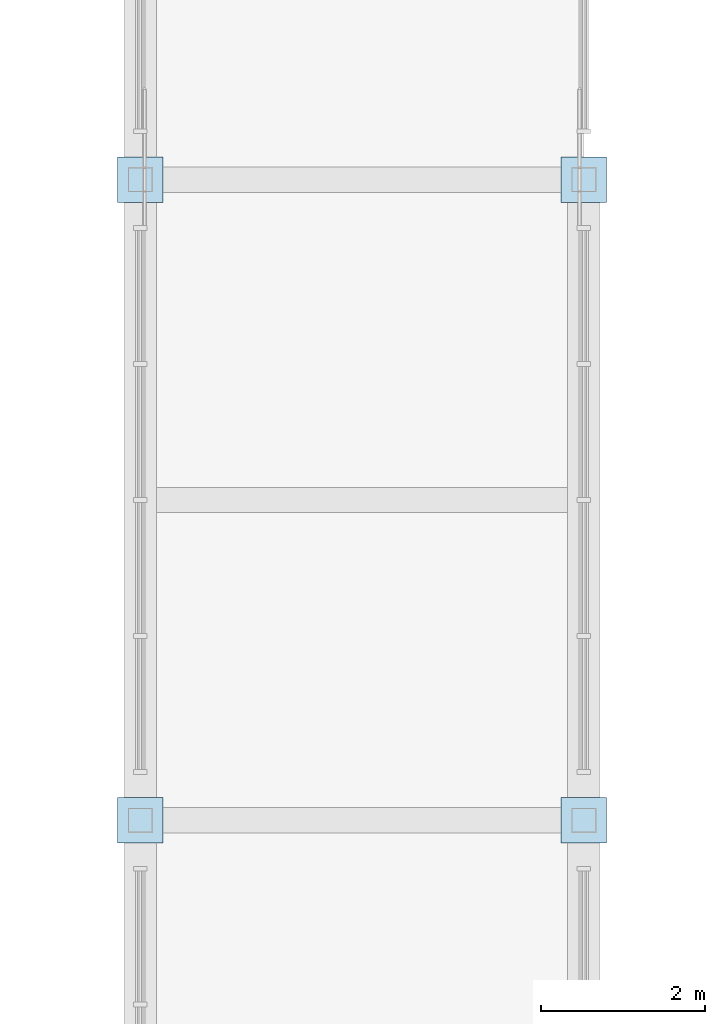
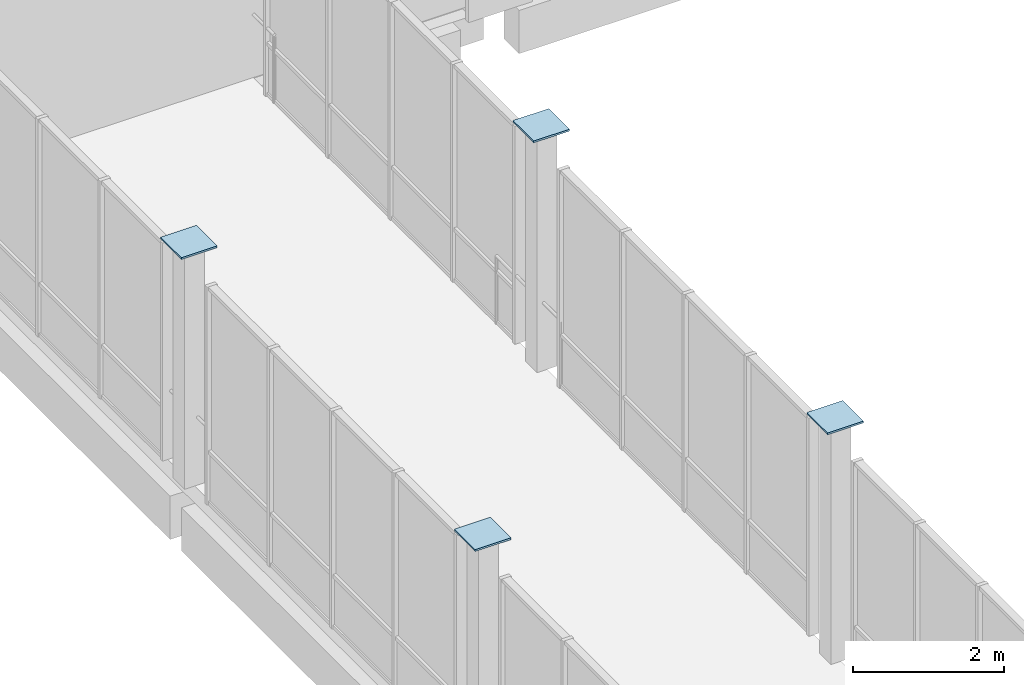
# One storey, part 52 of 85: 4 plates.
"""IFC4 building model written with IfcOpenShell, lengths in metres."""

from ifc_helpers import new_model, si_unit, direction, frame, origin, origin_2d, place, context, subcontext, project, spatial, rectangle, extrude, material, layer, layer_set, type_object, element, save


model = new_model("IFC4")

# Units and contexts
model_context = context("Model", 3, precision=1e-05, world=origin(), true_north=direction((0.0, 1.0)))
body_context = subcontext(model_context, "Body", "Model", "MODEL_VIEW")
ifc_project = project(units=[si_unit("LENGTHUNIT", "METRE"), si_unit("AREAUNIT", "SQUARE_METRE"), si_unit("VOLUMEUNIT", "CUBIC_METRE"), si_unit("PLANEANGLEUNIT", "RADIAN"), si_unit("MASSUNIT", "GRAM", prefix="KILO")], contexts=[model_context])

# Site, building, storey
site_placement = place(None, origin())
site = spatial("IfcSite", under=ifc_project, at=site_placement, CompositionType="ELEMENT")
building_placement = place(site_placement, origin())
building = spatial("IfcBuilding", under=site, at=building_placement, Name="Vervanel Yard Central Library", CompositionType="ELEMENT")
storey_placement = place(building_placement, frame((0.0, 0.0, 5.10009765625)))
storey = spatial("IfcBuildingStorey", under=building, at=storey_placement, Name="L01", CompositionType="ELEMENT", Elevation=5.10009765625)

# Plates
ifc_material = material(Name="Steel ASTM A572 Grade 50", Category="steel")
ifc_layer = layer(ifc_material, 0.030029296875, Category="steel")
ifc_layer_set = layer_set([ifc_layer], Name="Steel ASTM A572 Grade 50")
plate_type = type_object("IfcPlateType", Name="Bridge Pier Base Plate 30", PredefinedType="SHEET", material=ifc_layer_set)
for number, where, z_axis, x_axis, name in (
    (1, (72.0, 66.60009765625, 3.83984375), (0.0, 0.0, 1.0), (1.0, 0.0, 0.0), "L01 HSS Column Top Cap Plate 14"),
    (2, (72.0, 74.39990234375, 3.83984375), (0.0, 0.0, 1.0), (1.0, 0.0, 0.0), "L01 HSS Column Top Cap Plate 15"),
    (3, (77.39990234375, 66.60009765625, 3.83984375), (0.0, 0.0, 1.0), (1.0, 0.0, 0.0), "L01 HSS Column Top Cap Plate 21"),
    (4, (77.39990234375, 74.39990234375, 3.83984375), (0.0, 0.0, 1.0), (1.0, 0.0, 0.0), "L01 HSS Column Top Cap Plate 22"),
):
    element("IfcPlate", number, at=place(storey_placement, frame(where, z_axis=z_axis, x_axis=x_axis)), inside=storey, type_object=plate_type, Name=name, PredefinedType="SHEET", context=body_context, shape_type="SweptSolid", body=[
        extrude(rectangle(XDim=0.550048828125, YDim=0.550048828125, at=origin_2d()), origin(), (0.0, 0.0, 1.0), 0.030029296875),
    ])

save(model, "model.ifc")
